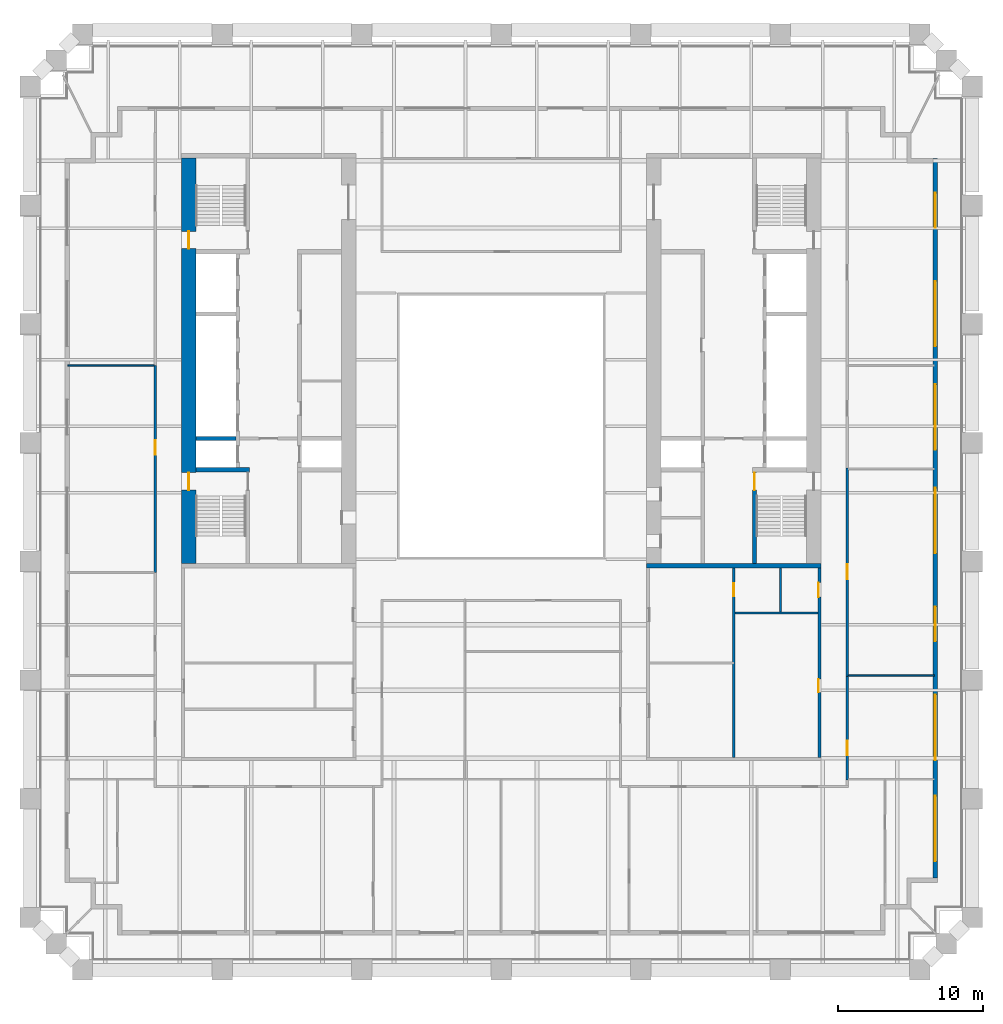
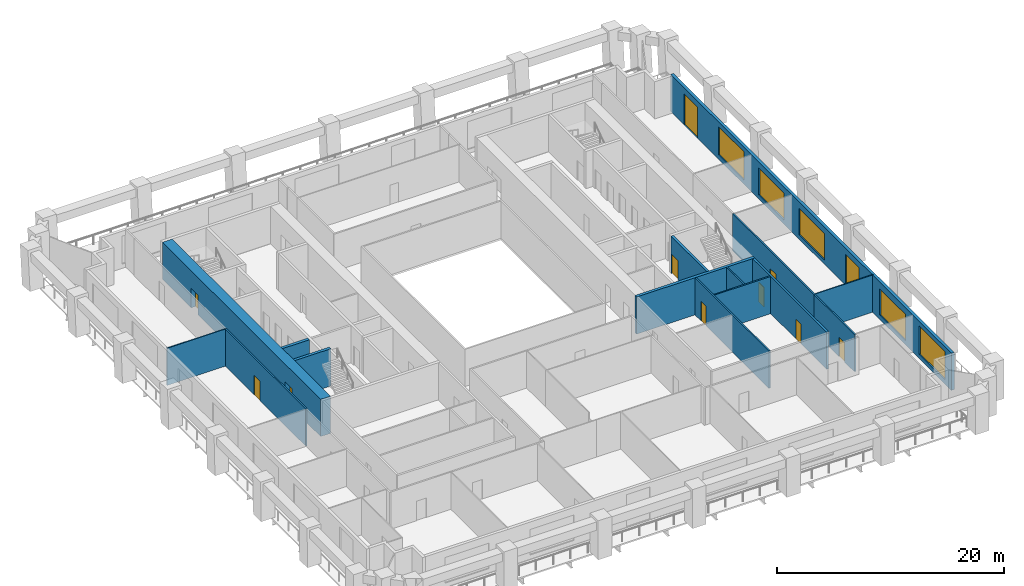
# One storey, part 5 of 9: 15 walls, 11 doors, 5 windows, 16 openings.
"""IFC4 building model written with IfcOpenShell, lengths in metres."""

from ifc_helpers import new_model, si_unit, direction, frame, frame_2d, origin, place, context, subcontext, project, spatial, rectangle, extrude, material, layer, layer_set, type_object, element, fill, save


model = new_model("IFC4")

# Units and contexts
model_context = context("Model", 3, precision=1e-05, world=origin(), true_north=direction((0.0, 1.0)))
body_context = subcontext(model_context, "Body", "Model", "MODEL_VIEW")
ifc_project = project(units=[si_unit("LENGTHUNIT", "METRE"), si_unit("AREAUNIT", "SQUARE_METRE"), si_unit("VOLUMEUNIT", "CUBIC_METRE"), si_unit("PLANEANGLEUNIT", "RADIAN"), si_unit("MASSUNIT", "GRAM", prefix="KILO")], contexts=[model_context])

# Site, building, storey
site_placement = place(None, origin())
site = spatial("IfcSite", under=ifc_project, at=site_placement, CompositionType="ELEMENT")
building_placement = place(site_placement, origin())
building = spatial("IfcBuilding", under=site, at=building_placement, Name="Ogive Exchange Tower", CompositionType="ELEMENT")
storey_placement = place(building_placement, frame((0.0, 0.0, 60.60009765625)))
storey = spatial("IfcBuildingStorey", under=building, at=storey_placement, Name="L12", CompositionType="ELEMENT", Elevation=60.60009765625)

# Wall, opening, door
ifc_material_1 = material(Name="Gypsum board partition")
ifc_layer_1 = layer(ifc_material_1, 0.14990234375)
ifc_layer_set_1 = layer_set([ifc_layer_1], Name="Core room partition 150 gypsum")
wall_type_1 = type_object("IfcWallType", Name="Core room partition 150 gypsum", PredefinedType="PARTITIONING", material=ifc_layer_set_1)
wall_1_placement = place(storey_placement, frame((16.0, -15.800048828125, 0.0), z_axis=(0.0, 0.0, 1.0), x_axis=(0.0, 1.0, 0.0)))
wall_1 = element("IfcWall", 1, at=wall_1_placement, inside=storey, type_object=wall_type_1, Name="E annex S column wall", PredefinedType="PARTITIONING", context=body_context, shape_type="SweptSolid", body=[
    extrude(rectangle(XDim=13.050048828125, YDim=0.14990234375, at=frame_2d((6.52490234375, 0.0))), origin(), (0.0, 0.0, 1.0), 4.0),
])
opening_1_placement = place(wall_1_placement, frame((11.08740234375, 0.0, 0.0)))
opening_1 = element("IfcOpeningElement", 2, at=opening_1_placement, cuts=wall_1, Name="Opening L12-C41", PredefinedType="OPENING", context=body_context, shape_type="SweptSolid", body=[
    extrude(rectangle(XDim=0.89990234375, YDim=2.10009765625, at=frame_2d((0.449951171875, 1.050048828125))), frame((0.0, 0.0849609375, 0.0), z_axis=(0.0, -1.0, 0.0), x_axis=(1.0, 0.0, 0.0)), (0.0, 0.0, 1.0), 0.169921875),
])
ifc_material_2 = material(Name="Steel fire door", Category="steel")
door_type_1 = type_object("IfcDoorType", Name="Riser door FD60 900 x 2100", OperationType="NOTDEFINED", PredefinedType="DOOR", material=ifc_material_2)
door_1_placement = place(opening_1_placement, frame((0.89990234375, 0.0, 0.0), z_axis=(0.0, 0.0, 1.0), x_axis=(-1.0, 0.0, 0.0)))
door_1 = element("IfcDoor", 3, at=door_1_placement, inside=storey, type_object=door_type_1, Name="Riser door", ObjectType="CD2", OperationType="SINGLE_SWING_LEFT", OverallHeight=2.10009765625, OverallWidth=0.89990234375, PredefinedType="DOOR", context=body_context, shape_type="SweptSolid", body=[
    extrude(rectangle(XDim=0.89990234375, YDim=2.10009765625, at=frame_2d((0.449951171875, 1.050048828125))), frame((0.0, 0.02490234375, 0.0), z_axis=(0.0, -1.0, 0.0), x_axis=(1.0, 0.0, 0.0)), (0.0, 0.0, 1.0), 0.050048828125),
])
fill(opening_1, door_1)

# Walls
wall_2_placement = place(storey_placement, frame((16.074951171875, -5.85009765625, 0.0), z_axis=(0.0, 0.0, 1.0), x_axis=(1.0, 0.0, 0.0)))
element("IfcWall", 4, at=wall_2_placement, inside=storey, type_object=wall_type_1, Name="E annex S wc strip wall 00", PredefinedType="PARTITIONING", context=body_context, shape_type="SweptSolid", body=[
    extrude(rectangle(XDim=5.72509765625, YDim=0.14990234375, at=frame_2d((2.862548828125, 0.0))), origin(), (0.0, 0.0, 1.0), 4.0),
])
wall_3_placement = place(storey_placement, frame((19.199951171875, -5.77490234375, 0.0), z_axis=(0.0, 0.0, 1.0), x_axis=(0.0, 1.0, 0.0)))
element("IfcWall", 5, at=wall_3_placement, inside=storey, type_object=wall_type_1, Name="E annex S wc partition 00", PredefinedType="PARTITIONING", context=body_context, shape_type="SweptSolid", body=[
    extrude(rectangle(XDim=3.02490234375, YDim=0.14990234375, at=frame_2d((1.512451171875, 0.0))), origin(), (0.0, 0.0, 1.0), 4.0),
])

# Wall, opening, door
ifc_material_3 = material(Name="Fire partition EI 60 150")
ifc_layer_2 = layer(ifc_material_3, 0.14990234375)
ifc_layer_set_2 = layer_set([ifc_layer_2], Name="Fire partition EI 60 150")
wall_type_2 = type_object("IfcWallType", Name="Fire partition EI 60 150", PredefinedType="PARTITIONING", material=ifc_layer_set_2)
wall_4_placement = place(storey_placement, frame((-23.800048828125, -3.06005859375, 0.0), z_axis=(0.0, 0.0, 1.0), x_axis=(0.0, 1.0, 0.0)))
wall_4 = element("IfcWall", 6, at=wall_4_placement, inside=storey, type_object=wall_type_2, Name="L12-PWL-010", PredefinedType="PARTITIONING", context=body_context, shape_type="SweptSolid", body=[
    extrude(rectangle(XDim=14.22998046875, YDim=0.14990234375, at=frame_2d((7.114990234375, 0.0))), origin(), (0.0, 0.0, 1.0), 4.0),
])
opening_2_placement = place(wall_4_placement, frame((8.080078125, 0.0, 0.0)))
opening_2 = element("IfcOpeningElement", 7, at=opening_2_placement, cuts=wall_4, Name="Opening L12-I11", PredefinedType="OPENING", context=body_context, shape_type="SweptSolid", body=[
    extrude(rectangle(XDim=1.0, YDim=2.10009765625, at=frame_2d((0.5, 1.050048828125))), frame((0.0, 0.0849609375, 0.0), z_axis=(0.0, -1.0, 0.0), x_axis=(1.0, 0.0, 0.0)), (0.0, 0.0, 1.0), 0.169921875),
])
ifc_material_4 = material(Name="Fire door FD 30S 1000 x 2100")
door_type_2 = type_object("IfcDoorType", Name="Fire door FD 30S 1000 x 2100", OperationType="NOTDEFINED", PredefinedType="DOOR", material=ifc_material_4)
door_2_placement = place(opening_2_placement, origin())
door_2 = element("IfcDoor", 8, at=door_2_placement, inside=storey, type_object=door_type_2, Name="L12-IDR-011", ObjectType="DT3", OperationType="SINGLE_SWING_LEFT", OverallHeight=2.10009765625, OverallWidth=1.0, PredefinedType="DOOR", context=body_context, shape_type="SweptSolid", body=[
    extrude(rectangle(XDim=1.0, YDim=2.10009765625, at=frame_2d((0.5, 1.050048828125))), frame((0.0, 0.02490234375, 0.0), z_axis=(0.0, -1.0, 0.0), x_axis=(1.0, 0.0, 0.0)), (0.0, 0.0, 1.0), 0.050048828125),
])
fill(opening_2, door_2)

wall_5_placement = place(storey_placement, frame((23.800048828125, -10.219970703125, 0.0), z_axis=(0.0, 0.0, 1.0), x_axis=(0.0, -1.0, 0.0)))
wall_5 = element("IfcWall", 9, at=wall_5_placement, inside=storey, type_object=wall_type_2, Name="L12-PWL-048", PredefinedType="PARTITIONING", context=body_context, shape_type="SweptSolid", body=[
    extrude(rectangle(XDim=7.1201171875, YDim=0.14990234375, at=frame_2d((3.56005859375, 0.0))), origin(), (0.0, 0.0, 1.0), 4.0),
])
opening_3_placement = place(wall_5_placement, frame((4.419921875, 0.0, 0.0)))
opening_3 = element("IfcOpeningElement", 10, at=opening_3_placement, cuts=wall_5, Name="Opening L12-I07", PredefinedType="OPENING", context=body_context, shape_type="SweptSolid", body=[
    extrude(rectangle(XDim=1.0, YDim=2.10009765625, at=frame_2d((0.5, 1.050048828125))), frame((0.0, 0.0849609375, 0.0), z_axis=(0.0, -1.0, 0.0), x_axis=(1.0, 0.0, 0.0)), (0.0, 0.0, 1.0), 0.169921875),
])
door_3_placement = place(opening_3_placement, origin())
door_3 = element("IfcDoor", 11, at=door_3_placement, inside=storey, type_object=door_type_2, Name="L12-IDR-007", ObjectType="DT3", OperationType="SINGLE_SWING_LEFT", OverallHeight=2.10009765625, OverallWidth=1.0, PredefinedType="DOOR", context=body_context, shape_type="SweptSolid", body=[
    extrude(rectangle(XDim=1.0, YDim=2.10009765625, at=frame_2d((0.5, 1.050048828125))), frame((0.0, 0.02490234375, 0.0), z_axis=(0.0, -1.0, 0.0), x_axis=(1.0, 0.0, 0.0)), (0.0, 0.0, 1.0), 0.050048828125),
])
fill(opening_3, door_3)

wall_6_placement = place(storey_placement, frame((23.800048828125, 4.110107421875, 0.0), z_axis=(0.0, 0.0, 1.0), x_axis=(0.0, -1.0, 0.0)))
wall_6 = element("IfcWall", 12, at=wall_6_placement, inside=storey, type_object=wall_type_2, Name="L12-PWL-049", PredefinedType="PARTITIONING", context=body_context, shape_type="SweptSolid", body=[
    extrude(rectangle(XDim=14.330078125, YDim=0.14990234375, at=frame_2d((7.1650390625, 0.0))), origin(), (0.0, 0.0, 1.0), 4.0),
])
opening_4_placement = place(wall_6_placement, frame((6.6298828125, 0.0, 0.0)))
opening_4 = element("IfcOpeningElement", 13, at=opening_4_placement, cuts=wall_6, Name="Opening L12-I06", PredefinedType="OPENING", context=body_context, shape_type="SweptSolid", body=[
    extrude(rectangle(XDim=1.0, YDim=2.10009765625, at=frame_2d((0.5, 1.050048828125))), frame((0.0, 0.0849609375, 0.0), z_axis=(0.0, -1.0, 0.0), x_axis=(1.0, 0.0, 0.0)), (0.0, 0.0, 1.0), 0.169921875),
])
door_4_placement = place(opening_4_placement, origin())
door_4 = element("IfcDoor", 14, at=door_4_placement, inside=storey, type_object=door_type_2, Name="L12-IDR-006", ObjectType="DT3", OperationType="SINGLE_SWING_LEFT", OverallHeight=2.10009765625, OverallWidth=1.0, PredefinedType="DOOR", context=body_context, shape_type="SweptSolid", body=[
    extrude(rectangle(XDim=1.0, YDim=2.10009765625, at=frame_2d((0.5, 1.050048828125))), frame((0.0, 0.02490234375, 0.0), z_axis=(0.0, -1.0, 0.0), x_axis=(1.0, 0.0, 0.0)), (0.0, 0.0, 1.0), 0.050048828125),
])
fill(opening_4, door_4)

# Wall, openings, doors, windows
ifc_material_5 = material(Name="Precast concrete C40/50", Category="concrete")
ifc_layer_3 = layer(ifc_material_5, 0.300048828125)
ifc_layer_set_3 = layer_set([ifc_layer_3], Name="Limestone-faced wall 300")
wall_type_3 = type_object("IfcWallType", Name="Limestone-faced wall 300", PredefinedType="STANDARD", material=ifc_layer_set_3)
wall_7_placement = place(storey_placement, frame((29.85009765625, -24.10009765625, 0.0), z_axis=(0.0, 0.0, 1.0), x_axis=(0.0, 1.0, 0.0)))
wall_7 = element("IfcWall", 15, at=wall_7_placement, inside=storey, type_object=wall_type_3, Name="External wall E2", PredefinedType="STANDARD", context=body_context, shape_type="SweptSolid", body=[
    extrude(rectangle(XDim=49.5, YDim=0.300048828125, at=frame_2d((24.75, 0.0))), origin(), (0.0, 0.0, 1.0), 4.0),
])
opening_5_placement = place(wall_7_placement, frame((1.156982421875, 0.0, 0.449951171875)))
opening_5 = element("IfcOpeningElement", 16, at=opening_5_placement, cuts=wall_7, Name="Opening W1", PredefinedType="OPENING", context=body_context, shape_type="SweptSolid", body=[
    extrude(rectangle(XDim=4.5, YDim=3.050048828125, at=frame_2d((2.25, 1.52490234375))), frame((0.0, 0.159912109375, 0.0), z_axis=(0.0, -1.0, 0.0), x_axis=(1.0, 0.0, 0.0)), (0.0, 0.0, 1.0), 0.320068359375),
])
opening_6_placement = place(wall_7_placement, frame((8.121337890625, 0.0, 0.449951171875)))
opening_6 = element("IfcOpeningElement", 17, at=opening_6_placement, cuts=wall_7, Name="Opening W1E", PredefinedType="OPENING", context=body_context, shape_type="SweptSolid", body=[
    extrude(rectangle(XDim=4.5, YDim=2.824951171875, at=frame_2d((2.25, 1.41259765625))), frame((0.0, 0.159912109375, 0.0), z_axis=(0.0, -1.0, 0.0), x_axis=(1.0, 0.0, 0.0)), (0.0, 0.0, 1.0), 0.320068359375),
])
opening_7_placement = place(wall_7_placement, frame((16.28564453125, 0.0, 0.0)))
opening_7 = element("IfcOpeningElement", 18, at=opening_7_placement, cuts=wall_7, Name="Opening D1C", PredefinedType="OPENING", context=body_context, shape_type="SweptSolid", body=[
    extrude(rectangle(XDim=2.39990234375, YDim=3.324951171875, at=frame_2d((1.199951171875, 1.66259765625))), frame((0.0, 0.159912109375, 0.0), z_axis=(0.0, -1.0, 0.0), x_axis=(1.0, 0.0, 0.0)), (0.0, 0.0, 1.0), 0.320068359375),
])
opening_8_placement = place(wall_7_placement, frame((22.35009765625, 0.0, 0.449951171875)))
opening_8 = element("IfcOpeningElement", 19, at=opening_8_placement, cuts=wall_7, Name="Opening W1D", PredefinedType="OPENING", context=body_context, shape_type="SweptSolid", body=[
    extrude(rectangle(XDim=4.5, YDim=2.875, at=frame_2d((2.25, 1.4375))), frame((0.0, 0.159912109375, 0.0), z_axis=(0.0, -1.0, 0.0), x_axis=(1.0, 0.0, 0.0)), (0.0, 0.0, 1.0), 0.320068359375),
])
opening_9_placement = place(wall_7_placement, frame((29.464111328125, 0.0, 0.449951171875)))
opening_9 = element("IfcOpeningElement", 20, at=opening_9_placement, cuts=wall_7, Name="Opening W1D", PredefinedType="OPENING", context=body_context, shape_type="SweptSolid", body=[
    extrude(rectangle(XDim=4.5, YDim=2.875, at=frame_2d((2.25, 1.4375))), frame((0.0, 0.159912109375, 0.0), z_axis=(0.0, -1.0, 0.0), x_axis=(1.0, 0.0, 0.0)), (0.0, 0.0, 1.0), 0.320068359375),
])
opening_10_placement = place(wall_7_placement, frame((36.57861328125, 0.0, 0.449951171875)))
opening_10 = element("IfcOpeningElement", 21, at=opening_10_placement, cuts=wall_7, Name="Opening W1", PredefinedType="OPENING", context=body_context, shape_type="SweptSolid", body=[
    extrude(rectangle(XDim=4.5, YDim=3.050048828125, at=frame_2d((2.25, 1.52490234375))), frame((0.0, 0.159912109375, 0.0), z_axis=(0.0, -1.0, 0.0), x_axis=(1.0, 0.0, 0.0)), (0.0, 0.0, 1.0), 0.320068359375),
])
opening_11_placement = place(wall_7_placement, frame((44.742919921875, 0.0, 0.0)))
opening_11 = element("IfcOpeningElement", 22, at=opening_11_placement, cuts=wall_7, Name="Opening D1C", PredefinedType="OPENING", context=body_context, shape_type="SweptSolid", body=[
    extrude(rectangle(XDim=2.39990234375, YDim=3.324951171875, at=frame_2d((1.199951171875, 1.66259765625))), frame((0.0, 0.159912109375, 0.0), z_axis=(0.0, -1.0, 0.0), x_axis=(1.0, 0.0, 0.0)), (0.0, 0.0, 1.0), 0.320068359375),
])
ifc_material_6 = material(Name="Clear glass in bronze frame", Category="glass")
door_type_3 = type_object("IfcDoorType", Name="Sliding loggia door 2400 x 3325", OperationType="DOUBLE_DOOR_SLIDING", PredefinedType="DOOR", material=ifc_material_6)
door_5_placement = place(opening_7_placement, origin())
door_5 = element("IfcDoor", 23, at=door_5_placement, inside=storey, type_object=door_type_3, Name="Loggia door E02", OperationType="DOUBLE_DOOR_SLIDING", OverallHeight=3.324951171875, OverallWidth=2.39990234375, PredefinedType="DOOR", context=body_context, shape_type="SweptSolid", body=[
    extrude(rectangle(XDim=2.39990234375, YDim=3.324951171875, at=frame_2d((1.199951171875, 1.66259765625))), frame((0.0, 0.02490234375, 0.0), z_axis=(0.0, -1.0, 0.0), x_axis=(1.0, 0.0, 0.0)), (0.0, 0.0, 1.0), 0.050048828125),
])
fill(opening_7, door_5)
door_6_placement = place(opening_11_placement, origin())
door_6 = element("IfcDoor", 24, at=door_6_placement, inside=storey, type_object=door_type_3, Name="Loggia door E06", OperationType="DOUBLE_DOOR_SLIDING", OverallHeight=3.324951171875, OverallWidth=2.39990234375, PredefinedType="DOOR", context=body_context, shape_type="SweptSolid", body=[
    extrude(rectangle(XDim=2.39990234375, YDim=3.324951171875, at=frame_2d((1.199951171875, 1.66259765625))), frame((0.0, 0.02490234375, 0.0), z_axis=(0.0, -1.0, 0.0), x_axis=(1.0, 0.0, 0.0)), (0.0, 0.0, 1.0), 0.050048828125),
])
fill(opening_11, door_6)
window_type_1 = type_object("IfcWindowType", Name="Twin lancet window 4500 x 2825", PartitioningType="DOUBLE_PANEL_VERTICAL", PredefinedType="WINDOW", material=ifc_material_6)
window_1_placement = place(opening_6_placement, origin())
window_1 = element("IfcWindow", 25, at=window_1_placement, inside=storey, type_object=window_type_1, Name="Window E01", OverallHeight=2.824951171875, OverallWidth=4.5, PartitioningType="DOUBLE_PANEL_VERTICAL", PredefinedType="WINDOW", context=body_context, shape_type="SweptSolid", body=[
    extrude(rectangle(XDim=4.5, YDim=2.824951171875, at=frame_2d((2.25, 1.41259765625))), frame((0.0, 0.030029296875, 0.0), z_axis=(0.0, -1.0, 0.0), x_axis=(1.0, 0.0, 0.0)), (0.0, 0.0, 1.0), 0.06005859375),
])
fill(opening_6, window_1)
window_type_2 = type_object("IfcWindowType", Name="Twin lancet window 4500 x 2875", PartitioningType="DOUBLE_PANEL_VERTICAL", PredefinedType="WINDOW", material=ifc_material_6)
window_2_placement = place(opening_8_placement, origin())
window_2 = element("IfcWindow", 26, at=window_2_placement, inside=storey, type_object=window_type_2, Name="Window E03", OverallHeight=2.875, OverallWidth=4.5, PartitioningType="DOUBLE_PANEL_VERTICAL", PredefinedType="WINDOW", context=body_context, shape_type="SweptSolid", body=[
    extrude(rectangle(XDim=4.5, YDim=2.875, at=frame_2d((2.25, 1.4375))), frame((0.0, 0.030029296875, 0.0), z_axis=(0.0, -1.0, 0.0), x_axis=(1.0, 0.0, 0.0)), (0.0, 0.0, 1.0), 0.06005859375),
])
fill(opening_8, window_2)
window_3_placement = place(opening_9_placement, origin())
window_3 = element("IfcWindow", 27, at=window_3_placement, inside=storey, type_object=window_type_2, Name="Window E04", OverallHeight=2.875, OverallWidth=4.5, PartitioningType="DOUBLE_PANEL_VERTICAL", PredefinedType="WINDOW", context=body_context, shape_type="SweptSolid", body=[
    extrude(rectangle(XDim=4.5, YDim=2.875, at=frame_2d((2.25, 1.4375))), frame((0.0, 0.030029296875, 0.0), z_axis=(0.0, -1.0, 0.0), x_axis=(1.0, 0.0, 0.0)), (0.0, 0.0, 1.0), 0.06005859375),
])
fill(opening_9, window_3)
window_type_3 = type_object("IfcWindowType", Name="Twin lancet window 4500 x 3050", PartitioningType="DOUBLE_PANEL_VERTICAL", PredefinedType="WINDOW", material=ifc_material_6)
window_4_placement = place(opening_5_placement, origin())
window_4 = element("IfcWindow", 28, at=window_4_placement, inside=storey, type_object=window_type_3, Name="Window E00", OverallHeight=3.050048828125, OverallWidth=4.5, PartitioningType="DOUBLE_PANEL_VERTICAL", PredefinedType="WINDOW", context=body_context, shape_type="SweptSolid", body=[
    extrude(rectangle(XDim=4.5, YDim=3.050048828125, at=frame_2d((2.25, 1.52490234375))), frame((0.0, 0.030029296875, 0.0), z_axis=(0.0, -1.0, 0.0), x_axis=(1.0, 0.0, 0.0)), (0.0, 0.0, 1.0), 0.06005859375),
])
fill(opening_5, window_4)
window_5_placement = place(opening_10_placement, origin())
window_5 = element("IfcWindow", 29, at=window_5_placement, inside=storey, type_object=window_type_3, Name="Window E05", OverallHeight=3.050048828125, OverallWidth=4.5, PartitioningType="DOUBLE_PANEL_VERTICAL", PredefinedType="WINDOW", context=body_context, shape_type="SweptSolid", body=[
    extrude(rectangle(XDim=4.5, YDim=3.050048828125, at=frame_2d((2.25, 1.52490234375))), frame((0.0, 0.030029296875, 0.0), z_axis=(0.0, -1.0, 0.0), x_axis=(1.0, 0.0, 0.0)), (0.0, 0.0, 1.0), 0.06005859375),
])
fill(opening_10, window_5)

# Walls
ifc_material_7 = material(Name="Partition 100 gypsum")
ifc_layer_4 = layer(ifc_material_7, 0.10009765625)
ifc_layer_set_4 = layer_set([ifc_layer_4], Name="Partition 100 gypsum")
wall_type_4 = type_object("IfcWallType", Name="Partition 100 gypsum", PredefinedType="PARTITIONING", material=ifc_layer_set_4)
for number, where, z_axis, x_axis, name in (
    (30, (-23.875, 11.169921875, 0.0), (0.0, 0.0, 1.0), (-1.0, 0.0, 0.0), "L12-PWL-011"),
    (31, (29.800048828125, -10.169921875, 0.0), (0.0, 0.0, 1.0), (-1.0, 0.0, 0.0), "L12-PWL-056"),
):
    element("IfcWall", number, at=place(storey_placement, frame(where, z_axis=z_axis, x_axis=x_axis)), inside=storey, type_object=wall_type_4, Name=name, PredefinedType="PARTITIONING", context=body_context, shape_type="SweptSolid", body=[
        extrude(rectangle(XDim=5.925048828125, YDim=0.10009765625, at=frame_2d((2.96240234375, 0.0))), origin(), (0.0, 0.0, 1.0), 4.0),
    ])

# Wall, openings, doors
ifc_material_8 = material(Name="Concrete C70/85", Category="concrete")
ifc_layer_5 = layer(ifc_material_8, 1.0)
ifc_layer_set_5 = layer_set([ifc_layer_5], Name="RC core wall 1000 C70/85")
wall_type_5 = type_object("IfcWallType", Name="RC core wall 1000 C70/85", PredefinedType="SHEAR", material=ifc_layer_set_5)
wall_8_placement = place(storey_placement, frame((-21.5, -2.449951171875, 0.0), z_axis=(0.0, 0.0, 1.0), x_axis=(0.0, 1.0, 0.0)))
wall_8 = element("IfcWall", 32, at=wall_8_placement, inside=storey, type_object=wall_type_5, Name="W outer wall", PredefinedType="SHEAR", context=body_context, shape_type="SweptSolid", body=[
    extrude(rectangle(XDim=27.89990234375, YDim=1.0, at=frame_2d((13.949951171875, 0.0))), origin(), (0.0, 0.0, 1.0), 4.0),
])
opening_12_placement = place(wall_8_placement, frame((5.050048828125, 0.0, 0.0)))
opening_12 = element("IfcOpeningElement", 33, at=opening_12_placement, cuts=wall_8, Name="Opening L12-C14", PredefinedType="OPENING", context=body_context, shape_type="SweptSolid", body=[
    extrude(rectangle(XDim=1.199951171875, YDim=2.10009765625, at=frame_2d((0.60009765625, 1.050048828125))), frame((0.0, 0.510009765625, 0.0), z_axis=(0.0, -1.0, 0.0), x_axis=(1.0, 0.0, 0.0)), (0.0, 0.0, 1.0), 1.02001953125),
])
opening_13_placement = place(wall_8_placement, frame((21.64990234375, 0.0, 0.0)))
opening_13 = element("IfcOpeningElement", 34, at=opening_13_placement, cuts=wall_8, Name="Opening L12-C16", PredefinedType="OPENING", context=body_context, shape_type="SweptSolid", body=[
    extrude(rectangle(XDim=1.199951171875, YDim=2.10009765625, at=frame_2d((0.60009765625, 1.050048828125))), frame((0.0, 0.510009765625, 0.0), z_axis=(0.0, -1.0, 0.0), x_axis=(1.0, 0.0, 0.0)), (0.0, 0.0, 1.0), 1.02001953125),
])
door_type_4 = type_object("IfcDoorType", Name="Stair door FD90 1200 x 2100", OperationType="NOTDEFINED", PredefinedType="DOOR", material=ifc_material_2)
door_7_placement = place(opening_12_placement, frame((1.199951171875, 0.0, 0.0), z_axis=(0.0, 0.0, 1.0), x_axis=(-1.0, 0.0, 0.0)))
door_7 = element("IfcDoor", 35, at=door_7_placement, inside=storey, type_object=door_type_4, Name="Stair door", ObjectType="CD5", OperationType="SINGLE_SWING_RIGHT", OverallHeight=2.10009765625, OverallWidth=1.199951171875, PredefinedType="DOOR", context=body_context, shape_type="SweptSolid", body=[
    extrude(rectangle(XDim=1.199951171875, YDim=2.10009765625, at=frame_2d((0.60009765625, 1.050048828125))), frame((0.0, 0.02490234375, 0.0), z_axis=(0.0, -1.0, 0.0), x_axis=(1.0, 0.0, 0.0)), (0.0, 0.0, 1.0), 0.050048828125),
])
fill(opening_12, door_7)
door_8_placement = place(opening_13_placement, frame((1.199951171875, 0.0, 0.0), z_axis=(0.0, 0.0, 1.0), x_axis=(-1.0, 0.0, 0.0)))
door_8 = element("IfcDoor", 36, at=door_8_placement, inside=storey, type_object=door_type_4, Name="Stair door", ObjectType="CD5", OperationType="SINGLE_SWING_LEFT", OverallHeight=2.10009765625, OverallWidth=1.199951171875, PredefinedType="DOOR", context=body_context, shape_type="SweptSolid", body=[
    extrude(rectangle(XDim=1.199951171875, YDim=2.10009765625, at=frame_2d((0.60009765625, 1.050048828125))), frame((0.0, 0.02490234375, 0.0), z_axis=(0.0, -1.0, 0.0), x_axis=(1.0, 0.0, 0.0)), (0.0, 0.0, 1.0), 0.050048828125),
])
fill(opening_13, door_8)

ifc_layer_6 = layer(ifc_material_8, 0.199951171875)
ifc_layer_set_6 = layer_set([ifc_layer_6], Name="RC core wall 200 C70/85")
wall_type_6 = type_object("IfcWallType", Name="RC core wall 200 C70/85", PredefinedType="SHEAR", material=ifc_layer_set_6)
wall_9_placement = place(storey_placement, frame((21.89990234375, -15.800048828125, 0.0), z_axis=(0.0, 0.0, 1.0), x_axis=(0.0, 1.0, 0.0)))
wall_9 = element("IfcWall", 37, at=wall_9_placement, inside=storey, type_object=wall_type_6, Name="E annex S outer wall", PredefinedType="SHEAR", context=body_context, shape_type="SweptSolid", body=[
    extrude(rectangle(XDim=13.050048828125, YDim=0.199951171875, at=frame_2d((6.52490234375, 0.0))), origin(), (0.0, 0.0, 1.0), 4.0),
])
opening_14_placement = place(wall_9_placement, frame((4.487548828125, 0.0, 0.0)))
opening_14 = element("IfcOpeningElement", 38, at=opening_14_placement, cuts=wall_9, Name="Opening L12-C39", PredefinedType="OPENING", context=body_context, shape_type="SweptSolid", body=[
    extrude(rectangle(XDim=0.89990234375, YDim=2.10009765625, at=frame_2d((0.449951171875, 1.050048828125))), frame((0.0, 0.10986328125, 0.0), z_axis=(0.0, -1.0, 0.0), x_axis=(1.0, 0.0, 0.0)), (0.0, 0.0, 1.0), 0.219970703125),
])
opening_15_placement = place(wall_9_placement, frame((11.03759765625, 0.0, 0.0)))
opening_15 = element("IfcOpeningElement", 39, at=opening_15_placement, cuts=wall_9, Name="Opening L12-C40", PredefinedType="OPENING", context=body_context, shape_type="SweptSolid", body=[
    extrude(rectangle(XDim=1.0, YDim=2.10009765625, at=frame_2d((0.5, 1.050048828125))), frame((0.0, 0.10986328125, 0.0), z_axis=(0.0, -1.0, 0.0), x_axis=(1.0, 0.0, 0.0)), (0.0, 0.0, 1.0), 0.219970703125),
])
ifc_material_9 = material(Name="Timber fire door", Category="wood")
door_type_5 = type_object("IfcDoorType", Name="Accessible WC door FD30S 1000 x 2100", OperationType="NOTDEFINED", PredefinedType="DOOR", material=ifc_material_9)
door_9_placement = place(opening_15_placement, origin())
door_9 = element("IfcDoor", 40, at=door_9_placement, inside=storey, type_object=door_type_5, Name="Accessible WC door", ObjectType="CD7", OperationType="SINGLE_SWING_RIGHT", OverallHeight=2.10009765625, OverallWidth=1.0, PredefinedType="DOOR", context=body_context, shape_type="SweptSolid", body=[
    extrude(rectangle(XDim=1.0, YDim=2.10009765625, at=frame_2d((0.5, 1.050048828125))), frame((0.0, 0.10009765625, 0.0), z_axis=(0.0, -1.0, 0.0), x_axis=(1.0, 0.0, 0.0)), (0.0, 0.0, 1.0), 0.050048828125),
])
fill(opening_15, door_9)
door_10_placement = place(opening_14_placement, origin())
door_10 = element("IfcDoor", 41, at=door_10_placement, inside=storey, type_object=door_type_1, Name="Riser door", ObjectType="CD2", OperationType="SINGLE_SWING_LEFT", OverallHeight=2.10009765625, OverallWidth=0.89990234375, PredefinedType="DOOR", context=body_context, shape_type="SweptSolid", body=[
    extrude(rectangle(XDim=0.89990234375, YDim=2.10009765625, at=frame_2d((0.449951171875, 1.050048828125))), frame((0.0, 0.10009765625, 0.0), z_axis=(0.0, -1.0, 0.0), x_axis=(1.0, 0.0, 0.0)), (0.0, 0.0, 1.0), 0.050048828125),
])
fill(opening_14, door_10)

# Wall, opening, door
ifc_layer_7 = layer(ifc_material_8, 0.25)
ifc_layer_set_7 = layer_set([ifc_layer_7], Name="RC core wall 250 C70/85")
wall_type_7 = type_object("IfcWallType", Name="RC core wall 250 C70/85", PredefinedType="SHEAR", material=ifc_layer_set_7)
wall_10_placement = place(storey_placement, frame((17.425048828125, -2.449951171875, 0.0), z_axis=(0.0, 0.0, 1.0), x_axis=(0.0, 1.0, 0.0)))
wall_10 = element("IfcWall", 42, at=wall_10_placement, inside=storey, type_object=wall_type_7, Name="E stair S front wall", PredefinedType="SHEAR", context=body_context, shape_type="SweptSolid", body=[
    extrude(rectangle(XDim=6.300048828125, YDim=0.25, at=frame_2d((3.14990234375, 0.0))), origin(), (0.0, 0.0, 1.0), 4.0),
])
opening_16_placement = place(wall_10_placement, frame((5.050048828125, 0.0, 0.0)))
opening_16 = element("IfcOpeningElement", 43, at=opening_16_placement, cuts=wall_10, Name="Opening L12-C33", PredefinedType="OPENING", context=body_context, shape_type="SweptSolid", body=[
    extrude(rectangle(XDim=1.199951171875, YDim=2.10009765625, at=frame_2d((0.60009765625, 1.050048828125))), frame((0.0, 0.135009765625, 0.0), z_axis=(0.0, -1.0, 0.0), x_axis=(1.0, 0.0, 0.0)), (0.0, 0.0, 1.0), 0.27001953125),
])
door_11_placement = place(opening_16_placement, frame((1.199951171875, 0.0, 0.0), z_axis=(0.0, 0.0, 1.0), x_axis=(-1.0, 0.0, 0.0)))
door_11 = element("IfcDoor", 44, at=door_11_placement, inside=storey, type_object=door_type_4, Name="Stair door", ObjectType="CD5", OperationType="SINGLE_SWING_RIGHT", OverallHeight=2.10009765625, OverallWidth=1.199951171875, PredefinedType="DOOR", context=body_context, shape_type="SweptSolid", body=[
    extrude(rectangle(XDim=1.199951171875, YDim=2.10009765625, at=frame_2d((0.60009765625, 1.050048828125))), frame((0.0, 0.02490234375, 0.0), z_axis=(0.0, -1.0, 0.0), x_axis=(1.0, 0.0, 0.0)), (0.0, 0.0, 1.0), 0.050048828125),
])
fill(opening_16, door_11)

# Walls
ifc_layer_8 = layer(ifc_material_8, 0.300048828125)
ifc_layer_set_8 = layer_set([ifc_layer_8], Name="RC core wall 300 C70/85")
wall_type_8 = type_object("IfcWallType", Name="RC core wall 300 C70/85", PredefinedType="SHEAR", material=ifc_layer_set_8)
wall_11_placement = place(storey_placement, frame((-21.0, 4.0, 0.0), z_axis=(0.0, 0.0, 1.0), x_axis=(1.0, 0.0, 0.0)))
element("IfcWall", 45, at=wall_11_placement, inside=storey, type_object=wall_type_8, Name="W stair S north wall", PredefinedType="SHEAR", context=body_context, shape_type="SweptSolid", body=[
    extrude(rectangle(XDim=3.699951171875, YDim=0.300048828125, at=frame_2d((1.85009765625, 0.0))), origin(), (0.0, 0.0, 1.0), 4.0),
])
wall_12_placement = place(storey_placement, frame((-21.0, 6.142822265625, 0.0), z_axis=(0.0, 0.0, 1.0), x_axis=(1.0, 0.0, 0.0)))
element("IfcWall", 46, at=wall_12_placement, inside=storey, type_object=wall_type_8, Name="W row A divider 1", PredefinedType="SHEAR", context=body_context, shape_type="SweptSolid", body=[
    extrude(rectangle(XDim=2.75, YDim=0.300048828125, at=frame_2d((1.375, 0.0))), origin(), (0.0, 0.0, 1.0), 4.0),
])
wall_13_placement = place(storey_placement, frame((10.0, -2.60009765625, 0.0), z_axis=(0.0, 0.0, 1.0), x_axis=(1.0, 0.0, 0.0)))
element("IfcWall", 47, at=wall_13_placement, inside=storey, type_object=wall_type_8, Name="E south end wall", PredefinedType="SHEAR", context=body_context, shape_type="SweptSolid", body=[
    extrude(rectangle(XDim=12.0, YDim=0.300048828125, at=frame_2d((6.0, 0.0))), origin(), (0.0, 0.0, 1.0), 4.0),
])

save(model, "model.ifc")
